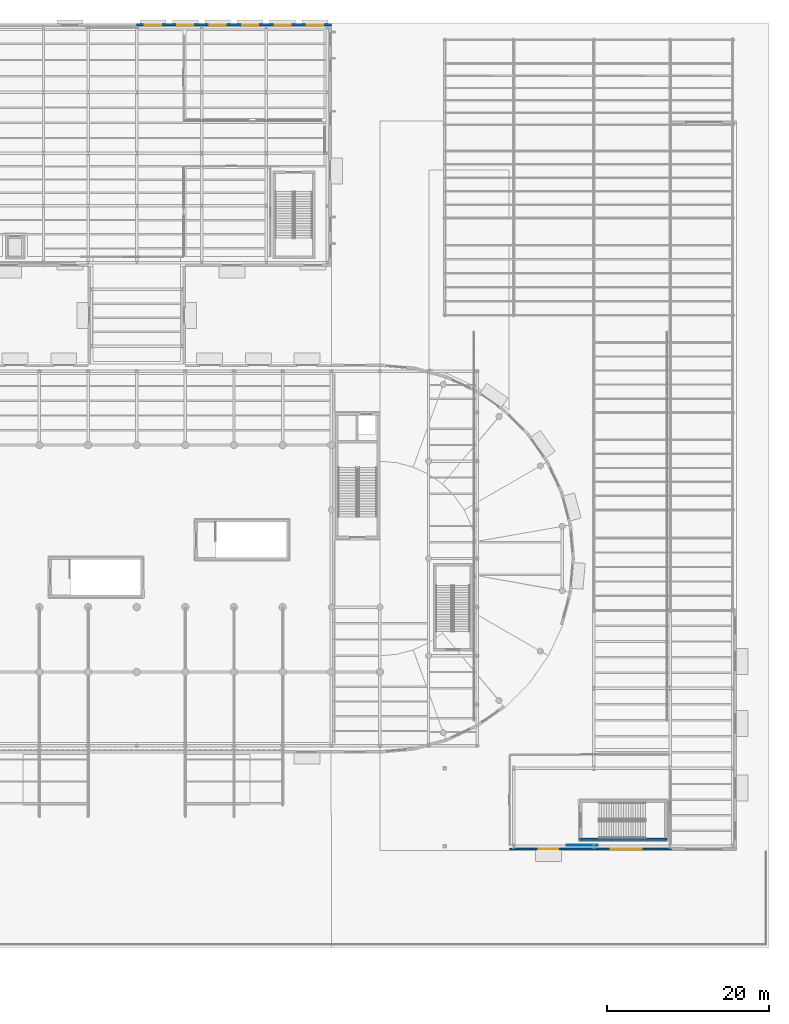
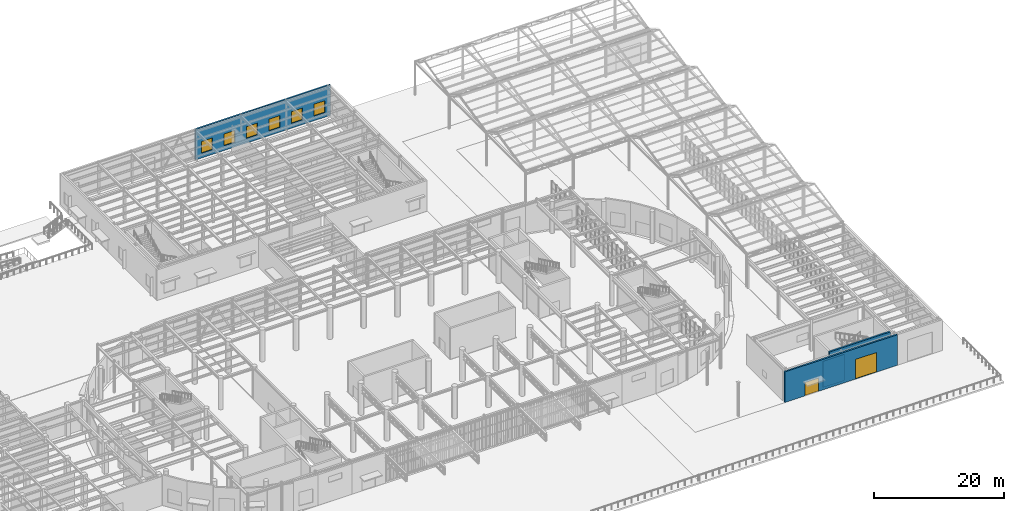
# One storey, part 94 of 118: 6 windows, 4 walls, 2 doors, 8 openings.
"""IFC4 building model written with IfcOpenShell, lengths in metres."""

from ifc_helpers import new_model, si_unit, direction, frame, frame_2d, origin, place, context, subcontext, project, spatial, rectangle, extrude, material, layer, layer_set, type_object, element, fill, save


model = new_model("IFC4")

# Units and contexts
model_context = context("Model", 3, precision=1e-05, world=origin(), true_north=direction((0.0, 1.0)))
body_context = subcontext(model_context, "Body", "Model", "MODEL_VIEW")
ifc_project = project(units=[si_unit("LENGTHUNIT", "METRE"), si_unit("AREAUNIT", "SQUARE_METRE"), si_unit("VOLUMEUNIT", "CUBIC_METRE"), si_unit("PLANEANGLEUNIT", "RADIAN"), si_unit("MASSUNIT", "GRAM", prefix="KILO")], contexts=[model_context])

# Site, building, storey
site_placement = place(None, origin())
site = spatial("IfcSite", under=ifc_project, at=site_placement, CompositionType="ELEMENT")
building_placement = place(site_placement, origin())
building = spatial("IfcBuilding", under=site, at=building_placement, Name="Kolvaren Corner Interchange", CompositionType="ELEMENT")
storey_placement = place(building_placement, origin())
storey = spatial("IfcBuildingStorey", under=building, at=storey_placement, Name="L01", CompositionType="ELEMENT", Elevation=0.0)

# Wall
ifc_material_1 = material(Name="Concrete C35/45", Category="concrete")
ifc_layer_1 = layer(ifc_material_1, 0.31005859375)
ifc_layer_set_1 = layer_set([ifc_layer_1], Name="Concrete C35/45")
wall_type_1 = type_object("IfcWallType", Name="WL-STAIR-300", PredefinedType="SHEAR", material=ifc_layer_set_1)
wall_1_placement = place(storey_placement, frame((144.60009765625, 13.35498046875, -0.39990234375), z_axis=(0.0, 0.0, 1.0), x_axis=(1.0, 0.0, 0.0)))
element("IfcWall", 1, at=wall_1_placement, inside=storey, type_object=wall_type_1, Name="Bus Dispatch Lounge Exit Stair L01 South Enclosure Wall", PredefinedType="SHEAR", context=body_context, shape_type="SweptSolid", body=[
    extrude(rectangle(XDim=10.7998046875, YDim=0.31005859375, at=frame_2d((5.39990234375, 0.0))), origin(), (0.0, 0.0, 1.0), 6.14990234375),
])

# Wall, openings, windows
ifc_material_2 = material(Name="Ochre Architectural Terracotta Rainscreen Assembly", Category="masonry")
ifc_layer_2 = layer(ifc_material_2, 0.300048828125)
ifc_layer_set_2 = layer_set([ifc_layer_2], Name="Ochre Architectural Terracotta Rainscreen Assembly")
wall_type_2 = type_object("IfcWallType", Name="WT-EXT-OCH300", PredefinedType="SOLIDWALL", material=ifc_layer_set_2)
wall_2_placement = place(storey_placement, frame((114.0, 113.840087890625, 0.0), z_axis=(0.0, 0.0, 1.0), x_axis=(-1.0, 0.0, 0.0)))
wall_2 = element("IfcWall", 2, at=wall_2_placement, inside=storey, type_object=wall_type_2, Name="Cycle Hub North Facade Wall 0171", PredefinedType="SOLIDWALL", context=body_context, shape_type="SweptSolid", body=[
    extrude(rectangle(XDim=24.0, YDim=0.300048828125, at=frame_2d((12.0, 0.0))), origin(), (0.0, 0.0, 1.0), 5.739990234375),
])
opening_1_placement = place(wall_2_placement, frame((1.0, 0.0, 0.89990234375)))
opening_1 = element("IfcOpeningElement", 3, at=opening_1_placement, cuts=wall_2, Name="Opening W-06", PredefinedType="OPENING", context=body_context, shape_type="SweptSolid", body=[
    extrude(rectangle(XDim=2.0, YDim=2.199951171875, at=frame_2d((1.0, 1.10009765625))), frame((0.0, 0.159912109375, 0.0), z_axis=(0.0, -1.0, 0.0), x_axis=(1.0, 0.0, 0.0)), (0.0, 0.0, 1.0), 0.320068359375),
])
opening_2_placement = place(wall_2_placement, frame((5.0, 0.0, 0.89990234375)))
opening_2 = element("IfcOpeningElement", 4, at=opening_2_placement, cuts=wall_2, Name="Opening W-06", PredefinedType="OPENING", context=body_context, shape_type="SweptSolid", body=[
    extrude(rectangle(XDim=2.0, YDim=2.199951171875, at=frame_2d((1.0, 1.10009765625))), frame((0.0, 0.159912109375, 0.0), z_axis=(0.0, -1.0, 0.0), x_axis=(1.0, 0.0, 0.0)), (0.0, 0.0, 1.0), 0.320068359375),
])
opening_3_placement = place(wall_2_placement, frame((9.0, 0.0, 0.89990234375)))
opening_3 = element("IfcOpeningElement", 5, at=opening_3_placement, cuts=wall_2, Name="Opening W-06", PredefinedType="OPENING", context=body_context, shape_type="SweptSolid", body=[
    extrude(rectangle(XDim=2.0, YDim=2.199951171875, at=frame_2d((1.0, 1.10009765625))), frame((0.0, 0.159912109375, 0.0), z_axis=(0.0, -1.0, 0.0), x_axis=(1.0, 0.0, 0.0)), (0.0, 0.0, 1.0), 0.320068359375),
])
opening_4_placement = place(wall_2_placement, frame((13.0, 0.0, 0.89990234375)))
opening_4 = element("IfcOpeningElement", 6, at=opening_4_placement, cuts=wall_2, Name="Opening W-06", PredefinedType="OPENING", context=body_context, shape_type="SweptSolid", body=[
    extrude(rectangle(XDim=2.0, YDim=2.199951171875, at=frame_2d((1.0, 1.10009765625))), frame((0.0, 0.159912109375, 0.0), z_axis=(0.0, -1.0, 0.0), x_axis=(1.0, 0.0, 0.0)), (0.0, 0.0, 1.0), 0.320068359375),
])
opening_5_placement = place(wall_2_placement, frame((17.0, 0.0, 0.89990234375)))
opening_5 = element("IfcOpeningElement", 7, at=opening_5_placement, cuts=wall_2, Name="Opening W-06", PredefinedType="OPENING", context=body_context, shape_type="SweptSolid", body=[
    extrude(rectangle(XDim=2.0, YDim=2.199951171875, at=frame_2d((1.0, 1.10009765625))), frame((0.0, 0.159912109375, 0.0), z_axis=(0.0, -1.0, 0.0), x_axis=(1.0, 0.0, 0.0)), (0.0, 0.0, 1.0), 0.320068359375),
])
opening_6_placement = place(wall_2_placement, frame((21.0, 0.0, 0.89990234375)))
opening_6 = element("IfcOpeningElement", 8, at=opening_6_placement, cuts=wall_2, Name="Opening W-06", PredefinedType="OPENING", context=body_context, shape_type="SweptSolid", body=[
    extrude(rectangle(XDim=2.0, YDim=2.199951171875, at=frame_2d((1.0, 1.10009765625))), frame((0.0, 0.159912109375, 0.0), z_axis=(0.0, -1.0, 0.0), x_axis=(1.0, 0.0, 0.0)), (0.0, 0.0, 1.0), 0.320068359375),
])
ifc_material_3 = material(Name="Thermally Broken Aluminium and Solar-Control Double Glazing", Category="aluminium")
window_type = type_object("IfcWindowType", Name="WT-CYC-2000x2200", PartitioningType="DOUBLE_PANEL_HORIZONTAL", PredefinedType="WINDOW", material=ifc_material_3)
window_1_placement = place(opening_1_placement, origin())
window_1 = element("IfcWindow", 9, at=window_1_placement, inside=storey, type_object=window_type, Name="L01 Cycle Hub North Facade Window 0253", OverallHeight=2.199951171875, OverallWidth=2.0, PartitioningType="SINGLE_PANEL", PredefinedType="WINDOW", context=body_context, shape_type="SweptSolid", body=[
    extrude(rectangle(XDim=2.0, YDim=2.199951171875, at=frame_2d((1.0, 1.10009765625))), frame((0.0, 0.030029296875, 0.0), z_axis=(0.0, -1.0, 0.0), x_axis=(1.0, 0.0, 0.0)), (0.0, 0.0, 1.0), 0.06005859375),
])
fill(opening_1, window_1)
window_2_placement = place(opening_2_placement, origin())
window_2 = element("IfcWindow", 10, at=window_2_placement, inside=storey, type_object=window_type, Name="L01 Cycle Hub North Facade Window 0254", OverallHeight=2.199951171875, OverallWidth=2.0, PartitioningType="SINGLE_PANEL", PredefinedType="WINDOW", context=body_context, shape_type="SweptSolid", body=[
    extrude(rectangle(XDim=2.0, YDim=2.199951171875, at=frame_2d((1.0, 1.10009765625))), frame((0.0, 0.030029296875, 0.0), z_axis=(0.0, -1.0, 0.0), x_axis=(1.0, 0.0, 0.0)), (0.0, 0.0, 1.0), 0.06005859375),
])
fill(opening_2, window_2)
window_3_placement = place(opening_3_placement, origin())
window_3 = element("IfcWindow", 11, at=window_3_placement, inside=storey, type_object=window_type, Name="L01 Cycle Hub North Facade Window 0255", OverallHeight=2.199951171875, OverallWidth=2.0, PartitioningType="SINGLE_PANEL", PredefinedType="WINDOW", context=body_context, shape_type="SweptSolid", body=[
    extrude(rectangle(XDim=2.0, YDim=2.199951171875, at=frame_2d((1.0, 1.10009765625))), frame((0.0, 0.030029296875, 0.0), z_axis=(0.0, -1.0, 0.0), x_axis=(1.0, 0.0, 0.0)), (0.0, 0.0, 1.0), 0.06005859375),
])
fill(opening_3, window_3)
window_4_placement = place(opening_4_placement, origin())
window_4 = element("IfcWindow", 12, at=window_4_placement, inside=storey, type_object=window_type, Name="L01 Cycle Hub North Facade Window 0256", OverallHeight=2.199951171875, OverallWidth=2.0, PartitioningType="SINGLE_PANEL", PredefinedType="WINDOW", context=body_context, shape_type="SweptSolid", body=[
    extrude(rectangle(XDim=2.0, YDim=2.199951171875, at=frame_2d((1.0, 1.10009765625))), frame((0.0, 0.030029296875, 0.0), z_axis=(0.0, -1.0, 0.0), x_axis=(1.0, 0.0, 0.0)), (0.0, 0.0, 1.0), 0.06005859375),
])
fill(opening_4, window_4)
window_5_placement = place(opening_5_placement, origin())
window_5 = element("IfcWindow", 13, at=window_5_placement, inside=storey, type_object=window_type, Name="L01 Cycle Hub North Facade Window 0257", OverallHeight=2.199951171875, OverallWidth=2.0, PartitioningType="SINGLE_PANEL", PredefinedType="WINDOW", context=body_context, shape_type="SweptSolid", body=[
    extrude(rectangle(XDim=2.0, YDim=2.199951171875, at=frame_2d((1.0, 1.10009765625))), frame((0.0, 0.030029296875, 0.0), z_axis=(0.0, -1.0, 0.0), x_axis=(1.0, 0.0, 0.0)), (0.0, 0.0, 1.0), 0.06005859375),
])
fill(opening_5, window_5)
window_6_placement = place(opening_6_placement, origin())
window_6 = element("IfcWindow", 14, at=window_6_placement, inside=storey, type_object=window_type, Name="L01 Cycle Hub North Facade Window 0258", OverallHeight=2.199951171875, OverallWidth=2.0, PartitioningType="SINGLE_PANEL", PredefinedType="WINDOW", context=body_context, shape_type="SweptSolid", body=[
    extrude(rectangle(XDim=2.0, YDim=2.199951171875, at=frame_2d((1.0, 1.10009765625))), frame((0.0, 0.030029296875, 0.0), z_axis=(0.0, -1.0, 0.0), x_axis=(1.0, 0.0, 0.0)), (0.0, 0.0, 1.0), 0.06005859375),
])
fill(opening_6, window_6)

# Wall, openings, doors
wall_3_placement = place(storey_placement, frame((136.0, 12.159912109375, 0.0), z_axis=(0.0, 0.0, 1.0), x_axis=(1.0, 0.0, 0.0)))
wall_3 = element("IfcWall", 15, at=wall_3_placement, inside=storey, type_object=wall_type_2, Name="Bus Dispatch South Apron Wall Wall 0190", PredefinedType="SOLIDWALL", context=body_context, shape_type="SweptSolid", body=[
    extrude(rectangle(XDim=20.0, YDim=0.300048828125, at=frame_2d((10.0, 0.0))), origin(), (0.0, 0.0, 1.0), 5.739990234375),
])
opening_7_placement = place(wall_3_placement, frame((3.60009765625, 0.0, 0.0)))
opening_7 = element("IfcOpeningElement", 16, at=opening_7_placement, cuts=wall_3, Name="Opening D-E01", PredefinedType="OPENING", context=body_context, shape_type="SweptSolid", body=[
    extrude(rectangle(XDim=2.39990234375, YDim=2.5, at=frame_2d((1.199951171875, 1.25))), frame((0.0, 0.159912109375, 0.0), z_axis=(0.0, -1.0, 0.0), x_axis=(1.0, 0.0, 0.0)), (0.0, 0.0, 1.0), 0.320068359375),
])
opening_8_placement = place(wall_3_placement, frame((12.5, 0.0, 0.0)))
opening_8 = element("IfcOpeningElement", 17, at=opening_8_placement, cuts=wall_3, Name="Opening D-G02", PredefinedType="OPENING", context=body_context, shape_type="SweptSolid", body=[
    extrude(rectangle(XDim=3.800048828125, YDim=3.699951171875, at=frame_2d((1.89990234375, 1.85009765625))), frame((0.0, 0.159912109375, 0.0), z_axis=(0.0, -1.0, 0.0), x_axis=(1.0, 0.0, 0.0)), (0.0, 0.0, 1.0), 0.320068359375),
])
ifc_material_4 = material(Name="Anodised Aluminium and Laminated Safety Glass", Category="aluminium")
door_type_1 = type_object("IfcDoorType", Name="DT-EXT-DBL2400", OperationType="NOTDEFINED", PredefinedType="DOOR", material=ifc_material_4)
door_1_placement = place(opening_7_placement, origin())
door_1 = element("IfcDoor", 18, at=door_1_placement, inside=storey, type_object=door_type_1, Name="L01 Bus Dispatch Main Entrance Door 034", OperationType="DOUBLE_DOOR_SINGLE_SWING", OverallHeight=2.5, OverallWidth=2.39990234375, PredefinedType="DOOR", context=body_context, shape_type="SweptSolid", body=[
    extrude(rectangle(XDim=2.39990234375, YDim=2.5, at=frame_2d((1.199951171875, 1.25))), frame((0.0, 0.02490234375, 0.0), z_axis=(0.0, -1.0, 0.0), x_axis=(1.0, 0.0, 0.0)), (0.0, 0.0, 1.0), 0.050048828125),
])
fill(opening_7, door_1)
ifc_material_5 = material(Name="Galvanised Roller-Shutter Steel Lath", Category="steel")
door_type_2 = type_object("IfcDoorType", Name="DT-GATE-3800", OperationType="NOTDEFINED", PredefinedType="GATE", material=ifc_material_5)
door_2_placement = place(opening_8_placement, origin())
door_2 = element("IfcDoor", 19, at=door_2_placement, inside=storey, type_object=door_type_2, Name="L01 Bus Maintenance Service Gate Door 035", OperationType="ROLLINGUP", OverallHeight=3.699951171875, OverallWidth=3.800048828125, PredefinedType="GATE", context=body_context, shape_type="SweptSolid", body=[
    extrude(rectangle(XDim=3.800048828125, YDim=3.699951171875, at=frame_2d((1.89990234375, 1.85009765625))), frame((0.0, 0.02490234375, 0.0), z_axis=(0.0, -1.0, 0.0), x_axis=(1.0, 0.0, 0.0)), (0.0, 0.0, 1.0), 0.050048828125),
])
fill(opening_8, door_2)

# Wall
ifc_material_6 = material(Name="Standard Metal-Stud Drywall Partition")
ifc_layer_3 = layer(ifc_material_6, 0.1201171875)
ifc_layer_set_3 = layer_set([ifc_layer_3], Name="Standard Metal-Stud Drywall Partition")
wall_type_3 = type_object("IfcWallType", Name="WT-PART-ST125", PredefinedType="PARTITIONING", material=ifc_layer_set_3)
wall_4_placement = place(storey_placement, frame((143.050048828125, 12.60009765625, 0.0), z_axis=(0.0, 0.0, 1.0), x_axis=(1.0, 0.0, 0.0)))
element("IfcWall", 20, at=wall_4_placement, inside=storey, type_object=wall_type_3, Name="L01 Bus Dispatch Entrance Hall Partition Wall 039", PredefinedType="PARTITIONING", context=body_context, shape_type="SweptSolid", body=[
    extrude(rectangle(XDim=3.83984375, YDim=0.1201171875, at=frame_2d((1.919921875, 0.0))), origin(), (0.0, 0.0, 1.0), 4.925048828125),
])

save(model, "model.ifc")
